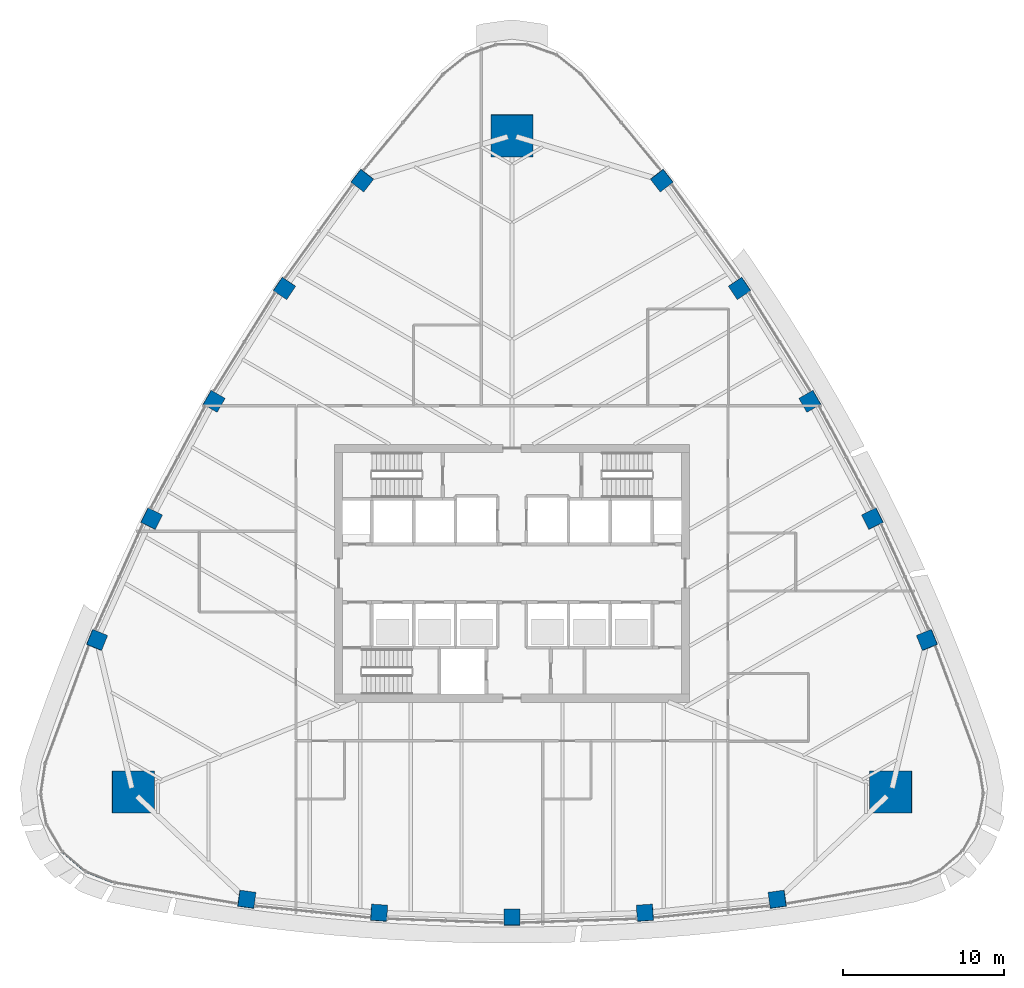
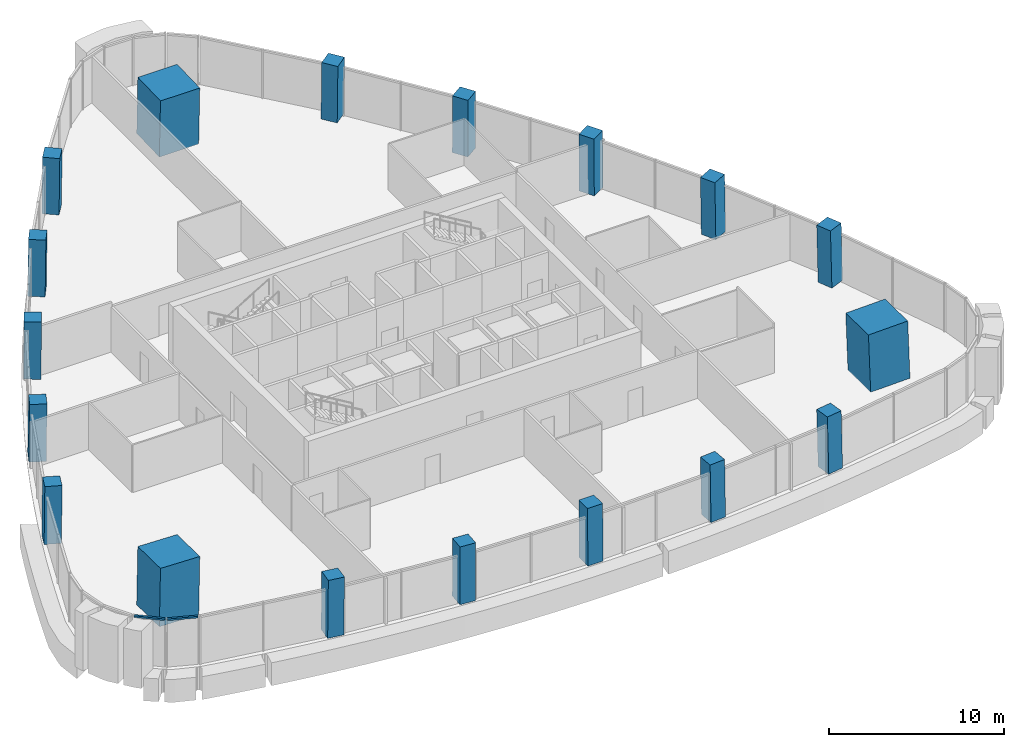
# One storey, part 1 of 16: 18 columns, 2 members, 2 elements without a shape of their own.
"""IFC4 building model written with IfcOpenShell, lengths in metres."""

from ifc_helpers import new_model, si_unit, direction, frame, origin, origin_2d, place, context, subcontext, project, spatial, rectangle, extrude, material, layer, layer_set, material_profile, profile_set, type_object, element, aggregate, save


model = new_model("IFC4")

# Units and contexts
model_context = context("Model", 3, precision=1e-05, world=origin(), true_north=direction((0.0, 1.0)))
body_context = subcontext(model_context, "Body", "Model", "MODEL_VIEW")
ifc_project = project(units=[si_unit("LENGTHUNIT", "METRE"), si_unit("AREAUNIT", "SQUARE_METRE"), si_unit("VOLUMEUNIT", "CUBIC_METRE"), si_unit("PLANEANGLEUNIT", "RADIAN"), si_unit("MASSUNIT", "GRAM", prefix="KILO")], contexts=[model_context])

# Site, building, storey
site_placement = place(None, origin())
site = spatial("IfcSite", under=ifc_project, at=site_placement, CompositionType="ELEMENT")
building_placement = place(site_placement, origin())
building = spatial("IfcBuilding", under=site, at=building_placement, Name="Sierra Prisma Convention Tower", CompositionType="ELEMENT")
storey_placement = place(building_placement, frame((0.0, 0.0, 181.800048828125)))
storey = spatial("IfcBuildingStorey", under=building, at=storey_placement, Name="L40", CompositionType="ELEMENT", Elevation=181.800048828125)

# Columns
ifc_material_1 = material(Name="Concrete C60/75", Category="concrete")
ifc_material_profile_1 = material_profile(ifc_material_1, rectangle(XDim=2.60009765625, YDim=2.60009765625, at=origin_2d()), Name="Mega column RC 2600 C60/75")
ifc_profile_set_1 = profile_set([ifc_material_profile_1], Name="Concrete C60/75")
column_type_1 = type_object("IfcColumnType", Name="Mega column RC 2600 C60/75", PredefinedType="COLUMN", material=ifc_profile_set_1)
for number, where, z_axis, x_axis, name in (
    (1, (23.52294921875, -13.5810546875, 0.0), (-0.028000489904, 0.016165860184, 0.999477182096), (0.999607909415, 0.000452829555, 0.027996828039), "Mega column SE L40"),
    (2, (0.0, 27.162109375, 0.0), (0.0, -0.032331720729, 0.999477193254), (1.0, 0.0, 0.0), "Mega column N L40"),
    (3, (-23.52294921875, -13.5810546875, 0.0), (0.028000489904, 0.016165860184, 0.999477182096), (0.999607909415, -0.000452829555, -0.027996828039), "Mega column SW L40"),
):
    element("IfcColumn", number, at=place(storey_placement, frame(where, z_axis=z_axis, x_axis=x_axis)), inside=storey, type_object=column_type_1, Name=name, PredefinedType="COLUMN", context=body_context, shape_type="SweptSolid", body=[
        extrude(rectangle(XDim=2.60009765625, YDim=2.60009765625, at=origin_2d()), origin(), (0.0, 0.0, 1.0), 4.002197265625),
    ])
ifc_material_2 = material(Name="Concrete C60/75", Category="concrete")
ifc_material_profile_2 = material_profile(ifc_material_2, rectangle(XDim=1.0, YDim=1.0, at=origin_2d()), Name="Perimeter column RC 1000 C60/75")
ifc_profile_set_2 = profile_set([ifc_material_profile_2], Name="Concrete C60/75")
column_type_2 = type_object("IfcColumnType", Name="Perimeter column RC 1000 C60/75", PredefinedType="COLUMN", material=ifc_profile_set_2)
column_1_placement = place(storey_placement, frame((-16.4658203125, -20.23095703125, 0.0), z_axis=(0.017574453011, 0.010434831475, 0.999791104628), x_axis=(-0.990722511159, 0.134954425998, 0.016006523216)))
element("IfcColumn", 4, at=column_1_placement, inside=storey, type_object=column_type_2, Name="Perimeter column S-1 L40", PredefinedType="COLUMN", context=body_context, shape_type="SweptSolid", body=[
    extrude(rectangle(XDim=1.0, YDim=1.0, at=origin_2d()), origin(), (0.0, 0.0, 1.0), 4.000732421875),
])
column_2_placement = place(storey_placement, frame((-8.251708984375, -21.066650390625, 0.0), z_axis=(0.008788174922, 0.01116830563, 0.999899013366), x_axis=(-0.997677690946, 0.0676388512, 0.008013163924)))
element("IfcColumn", 5, at=column_2_placement, inside=storey, type_object=column_type_2, Name="Perimeter column S-2 L40", PredefinedType="COLUMN", context=body_context, shape_type="SweptSolid", body=[
    extrude(rectangle(XDim=1.0, YDim=1.0, at=origin_2d()), origin(), (0.0, 0.0, 1.0), 4.00048828125),
])
column_3_placement = place(storey_placement, frame((0.0, -21.345703125, 0.0), z_axis=(0.0, 0.01141283087, 0.999934871525), x_axis=(1.0, 0.0, 0.0)))
element("IfcColumn", 6, at=column_3_placement, inside=storey, type_object=column_type_2, Name="Perimeter column S-3 L40", PredefinedType="COLUMN", context=body_context, shape_type="SweptSolid", body=[
    extrude(rectangle(XDim=1.0, YDim=1.0, at=origin_2d()), origin(), (0.0, 0.0, 1.0), 4.000244140625),
])
column_4_placement = place(storey_placement, frame((8.251708984375, -21.066650390625, 0.0), z_axis=(-0.008788174922, 0.01116830563, 0.999899013366), x_axis=(0.997677690946, 0.0676388512, 0.008013163924)))
element("IfcColumn", 7, at=column_4_placement, inside=storey, type_object=column_type_2, Name="Perimeter column S-4 L40", PredefinedType="COLUMN", context=body_context, shape_type="SweptSolid", body=[
    extrude(rectangle(XDim=1.0, YDim=1.0, at=origin_2d()), origin(), (0.0, 0.0, 1.0), 4.00048828125),
])
for number, where, z_axis, x_axis, name in (
    (8, (16.4658203125, -20.23095703125, 0.0), (-0.017574453011, 0.010434831475, 0.999791104628), (0.990722511159, 0.134954425998, 0.016006523216), "Perimeter column S-5 L40"),
    (9, (25.75341796875, -4.144287109375, 0.0), (-0.017818543466, 0.010007675097, 0.999791151165), (-0.378654720825, 0.925399499523, -0.016011517114), "Perimeter column NE-1 L40"),
):
    element("IfcColumn", number, at=place(storey_placement, frame(where, z_axis=z_axis, x_axis=x_axis)), inside=storey, type_object=column_type_2, Name=name, PredefinedType="COLUMN", context=body_context, shape_type="SweptSolid", body=[
        extrude(rectangle(XDim=1.0, YDim=1.0, at=origin_2d()), origin(), (0.0, 0.0, 1.0), 4.000732421875),
    ])
column_5_placement = place(storey_placement, frame((22.3701171875, 3.38720703125, 0.0), z_axis=(-0.014097691364, 0.002013955909, 0.999898594398), x_axis=(-0.440318544462, 0.897805834391, -0.008016429218)))
element("IfcColumn", 10, at=column_5_placement, inside=storey, type_object=column_type_2, Name="Perimeter column NE-2 L40", PredefinedType="COLUMN", context=body_context, shape_type="SweptSolid", body=[
    extrude(rectangle(XDim=1.0, YDim=1.0, at=origin_2d()), origin(), (0.0, 0.0, 1.0), 4.00048828125),
])
column_6_placement = place(storey_placement, frame((18.48583984375, 10.6728515625, 0.0), z_axis=(-0.009887049298, -0.00573692984, 0.999934664812), x_axis=(-0.499975560967, 0.866039512843, 2.5126546e-05)))
element("IfcColumn", 11, at=column_6_placement, inside=storey, type_object=column_type_2, Name="Perimeter column NE-3 L40", PredefinedType="COLUMN", context=body_context, shape_type="SweptSolid", body=[
    extrude(rectangle(XDim=1.0, YDim=1.0, at=origin_2d()), origin(), (0.0, 0.0, 1.0), 4.000244140625),
])
column_7_placement = place(storey_placement, frame((14.118408203125, 17.6796875, 0.0), z_axis=(-0.005248490815, -0.013243284963, 0.999898529226), x_axis=(-0.55734623632, 0.83024095087, 0.00807070984)))
element("IfcColumn", 12, at=column_7_placement, inside=storey, type_object=column_type_2, Name="Perimeter column NE-4 L40", PredefinedType="COLUMN", context=body_context, shape_type="SweptSolid", body=[
    extrude(rectangle(XDim=1.0, YDim=1.0, at=origin_2d()), origin(), (0.0, 0.0, 1.0), 4.00048828125),
])
for number, where, z_axis, x_axis, name in (
    (13, (9.28759765625, 24.37548828125, 0.0), (-0.000244089295, -0.02050350076, 0.999789751336), (-0.612160679672, 0.790570217655, 0.016063412501), "Perimeter column NE-5 L40"),
    (14, (-9.28759765625, 24.37548828125, 0.0), (0.000244089295, -0.02050350076, 0.999789751336), (0.612160679672, 0.790570217655, 0.016063412501), "Perimeter column NW-1 L40"),
):
    element("IfcColumn", number, at=place(storey_placement, frame(where, z_axis=z_axis, x_axis=x_axis)), inside=storey, type_object=column_type_2, Name=name, PredefinedType="COLUMN", context=body_context, shape_type="SweptSolid", body=[
        extrude(rectangle(XDim=1.0, YDim=1.0, at=origin_2d()), origin(), (0.0, 0.0, 1.0), 4.000732421875),
    ])
column_8_placement = place(storey_placement, frame((-14.118408203125, 17.6796875, 0.0), z_axis=(0.005248490815, -0.013243284963, 0.999898529226), x_axis=(0.55734623632, 0.83024095087, 0.00807070984)))
element("IfcColumn", 15, at=column_8_placement, inside=storey, type_object=column_type_2, Name="Perimeter column NW-2 L40", PredefinedType="COLUMN", context=body_context, shape_type="SweptSolid", body=[
    extrude(rectangle(XDim=1.0, YDim=1.0, at=origin_2d()), origin(), (0.0, 0.0, 1.0), 4.00048828125),
])
column_9_placement = place(storey_placement, frame((-18.48583984375, 10.6728515625, 0.0), z_axis=(0.009887049298, -0.00573692984, 0.999934664812), x_axis=(0.499975560967, 0.866039512843, 2.5126546e-05)))
element("IfcColumn", 16, at=column_9_placement, inside=storey, type_object=column_type_2, Name="Perimeter column NW-3 L40", PredefinedType="COLUMN", context=body_context, shape_type="SweptSolid", body=[
    extrude(rectangle(XDim=1.0, YDim=1.0, at=origin_2d()), origin(), (0.0, 0.0, 1.0), 4.000244140625),
])
column_10_placement = place(storey_placement, frame((-22.3701171875, 3.38720703125, 0.0), z_axis=(0.014097691364, 0.002013955909, 0.999898594398), x_axis=(0.440318544462, 0.897805834391, -0.008016429218)))
element("IfcColumn", 17, at=column_10_placement, inside=storey, type_object=column_type_2, Name="Perimeter column NW-4 L40", PredefinedType="COLUMN", context=body_context, shape_type="SweptSolid", body=[
    extrude(rectangle(XDim=1.0, YDim=1.0, at=origin_2d()), origin(), (0.0, 0.0, 1.0), 4.00048828125),
])
column_11_placement = place(storey_placement, frame((-25.75341796875, -4.144287109375, 0.0), z_axis=(0.017818543466, 0.010007675097, 0.999791151165), x_axis=(0.378654720825, 0.925399499523, -0.016011517114)))
element("IfcColumn", 18, at=column_11_placement, inside=storey, type_object=column_type_2, Name="Perimeter column NW-5 L40", PredefinedType="COLUMN", context=body_context, shape_type="SweptSolid", body=[
    extrude(rectangle(XDim=1.0, YDim=1.0, at=origin_2d()), origin(), (0.0, 0.0, 1.0), 4.000732421875),
])

# Curtain wall, member
ifc_material_3 = material(Name="Aluminium and glass curtain wall", Category="aluminium")
ifc_layer = layer(ifc_material_3, 0.179931640625)
ifc_layer_set = layer_set([ifc_layer], Name="CW-1 Plain shaft curtain wall")
curtain_wall_type = type_object("IfcCurtainWallType", Name="CW-1 Plain shaft curtain wall", PredefinedType="NOTDEFINED", material=ifc_layer_set)
curtain_wall_1_placement = place(storey_placement, origin())
curtain_wall_1 = element("IfcCurtainWall", 19, at=curtain_wall_1_placement, inside=storey, type_object=curtain_wall_type, Name="CW-1 SW4 L40", PredefinedType="NOTDEFINED")
ifc_material_4 = material(Name="Aluminium 6063-T6 bronze anodised", Category="aluminium")
ifc_material_profile_3 = material_profile(ifc_material_4, rectangle(XDim=0.139892578125, YDim=0.1201171875, at=origin_2d()), Name="ALU TRANSOM 120x140")
ifc_profile_set_3 = profile_set([ifc_material_profile_3], Name="Aluminium 6063-T6 bronze anodised")
member_type = type_object("IfcMemberType", Name="CW transom bronze", PredefinedType="USERDEFINED", material=ifc_profile_set_3)
member_1_placement = place(storey_placement, frame((-27.87353515625, -17.279541015625, 3.33984375), z_axis=(0.758792587086, -0.65133233436, 0.0), x_axis=(0.65133233436, 0.758792587086, 0.0)))
member_1 = element("IfcMember", 20, at=member_1_placement, type_object=member_type, Name="CW-1 transom SW4.1", ObjectType="TRANSOM", PredefinedType="USERDEFINED", context=body_context, shape_type="SweptSolid", body=[
    extrude(rectangle(XDim=0.139892578125, YDim=0.1201171875, at=origin_2d()), origin(), (0.0, 0.0, 1.0), 1.783447265625),
])
aggregate(curtain_wall_1, [member_1])

curtain_wall_2_placement = place(storey_placement, origin())
curtain_wall_2 = element("IfcCurtainWall", 21, at=curtain_wall_2_placement, inside=storey, type_object=curtain_wall_type, Name="CW-1 SW5 L40", PredefinedType="NOTDEFINED")
member_2_placement = place(storey_placement, frame((-26.402099609375, -18.51220703125, 3.33984375), z_axis=(0.931762957176, -0.363067199887, 0.0), x_axis=(0.363067199887, 0.931762957176, 0.0)))
member_2 = element("IfcMember", 22, at=member_2_placement, type_object=member_type, Name="CW-1 transom SW5.1", ObjectType="TRANSOM", PredefinedType="USERDEFINED", context=body_context, shape_type="SweptSolid", body=[
    extrude(rectangle(XDim=0.139892578125, YDim=0.1201171875, at=origin_2d()), origin(), (0.0, 0.0, 1.0), 1.783203125),
])
aggregate(curtain_wall_2, [member_2])

save(model, "model.ifc")
